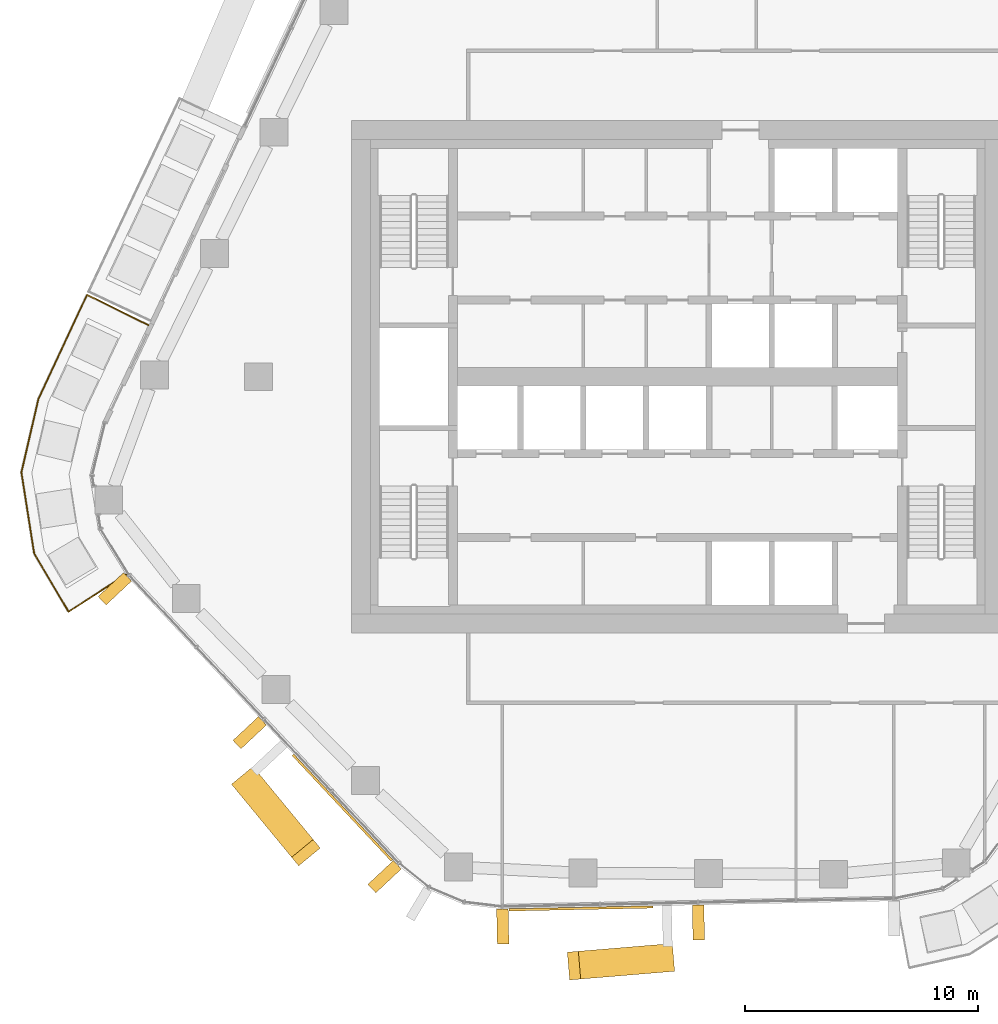
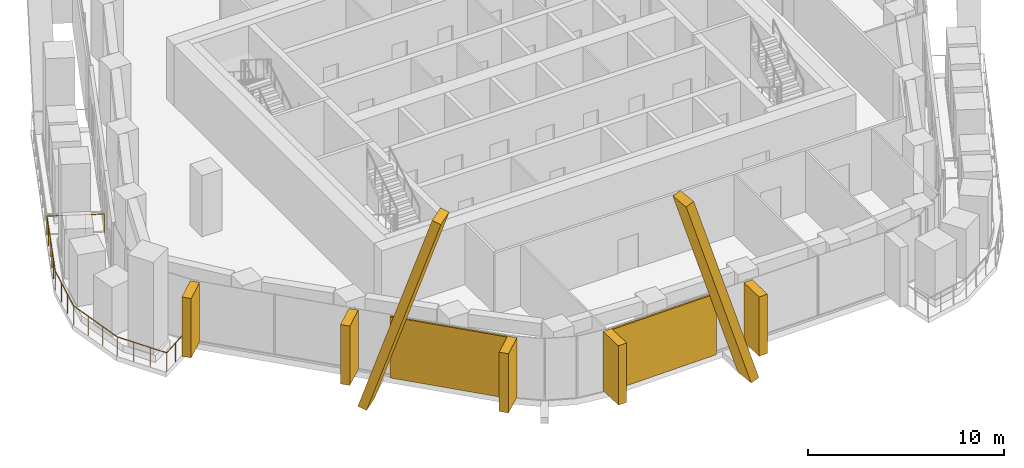
# One storey, part 14 of 18: 9 coverings, 1 railing, 2 elements without a shape of their own.
"""IFC4 building model written with IfcOpenShell, lengths in metres."""

from ifc_helpers import new_model, si_unit, direction, frame, origin, origin_2d, place, context, subcontext, project, spatial, rectangle, circle, extrude, material, layer, layer_set, material_profile, profile_set, type_object, element, aggregate, save


model = new_model("IFC4")

# Units and contexts
model_context = context("Model", 3, precision=1e-05, world=origin(), true_north=direction((0.0, 1.0)))
body_context = subcontext(model_context, "Body", "Model", "MODEL_VIEW")
ifc_project = project(units=[si_unit("LENGTHUNIT", "METRE"), si_unit("AREAUNIT", "SQUARE_METRE"), si_unit("VOLUMEUNIT", "CUBIC_METRE"), si_unit("PLANEANGLEUNIT", "RADIAN"), si_unit("MASSUNIT", "GRAM", prefix="KILO")], contexts=[model_context])

# Site, building, storey
site_placement = place(None, origin())
site = spatial("IfcSite", under=ifc_project, at=site_placement, CompositionType="ELEMENT")
building_placement = place(site_placement, origin())
building = spatial("IfcBuilding", under=site, at=building_placement, Name="Dongbaek Canopy Tower", CompositionType="ELEMENT")
storey_placement = place(building_placement, frame((0.0, 0.0, 167.0)))
storey = spatial("IfcBuildingStorey", under=building, at=storey_placement, Name="L36", CompositionType="ELEMENT", Elevation=167.0)

# Railing
ifc_material_1 = material(Name="Stainless steel", Category="steel")
railing_type = type_object("IfcRailingType", Name="Balcony balustrade 1200", PredefinedType="BALUSTRADE", material=ifc_material_1)
railing_placement = place(storey_placement, frame((-22.730712890625, 2.21435546875, 0.0)))
element("IfcRailing", 1, at=railing_placement, inside=storey, type_object=railing_type, Name="Balcony guard L36 3", PredefinedType="BALUSTRADE", context=body_context, shape_type="SweptSolid", body=[
    extrude(circle(Radius=0.02392578125, at=origin_2d()), frame((0.0, 0.0, 1.17578125), z_axis=(-0.895735106679, 0.444588144987, 0.0), x_axis=(-0.444588144987, -0.895735106679, 0.0)), (0.0, 0.0, 1.0), 2.940673828125),
    extrude(circle(Radius=0.02392578125, at=origin_2d()), frame((-2.634033203125, 1.307373046875, 1.17578125), z_axis=(-0.423516750842, -0.905888272226, 0.0), x_axis=(0.905888272226, -0.423516750842, 0.0)), (0.0, 0.0, 1.0), 4.93212890625),
    extrude(circle(Radius=0.02392578125, at=origin_2d()), frame((-4.722900390625, -3.16064453125, 1.17578125), z_axis=(-0.226085073911, -0.974107560465, 0.0), x_axis=(0.974107560465, -0.226085073911, 0.0)), (0.0, 0.0, 1.0), 3.243896484375),
    extrude(circle(Radius=0.02392578125, at=origin_2d()), frame((-5.456298828125, -6.320556640625, 1.17578125), z_axis=(0.155707044404, -0.987803278149, 0.0), x_axis=(0.987803278149, 0.155707044404, 0.0)), (0.0, 0.0, 1.0), 3.532470703125),
    extrude(circle(Radius=0.02392578125, at=origin_2d()), frame((-4.90625, -9.81005859375, 1.17578125), z_axis=(0.509092024836, -0.860712094866, 0.0), x_axis=(0.860712094866, 0.509092024836, 0.0)), (0.0, 0.0, 1.0), 2.90234375),
    extrude(circle(Radius=0.02392578125, at=origin_2d()), frame((-3.4287109375, -12.30810546875, 1.17578125), z_axis=(0.839434258494, 0.543461245782, 0.0), x_axis=(-0.543461245782, 0.839434258494, 0.0)), (0.0, 0.0, 1.0), 2.940673828125),
    extrude(circle(Radius=0.02099609375, at=origin_2d()), origin(), (0.0, 0.0, 1.0), 1.15185546875),
    extrude(circle(Radius=0.02099609375, at=origin_2d()), frame((-0.8779296875, 0.435791015625, 0.0)), (0.0, 0.0, 1.0), 1.15185546875),
    extrude(circle(Radius=0.02099609375, at=origin_2d()), frame((-1.756103515625, 0.87158203125, 0.0)), (0.0, 0.0, 1.0), 1.15185546875),
    extrude(circle(Radius=0.02099609375, at=origin_2d()), frame((-2.634033203125, 1.307373046875, 0.0)), (0.0, 0.0, 1.0), 1.15185546875),
    extrude(circle(Radius=0.02099609375, at=origin_2d()), frame((-3.0517578125, 0.413818359375, 0.0)), (0.0, 0.0, 1.0), 1.15185546875),
    extrude(circle(Radius=0.02099609375, at=origin_2d()), frame((-3.469482421875, -0.479736328125, 0.0)), (0.0, 0.0, 1.0), 1.15185546875),
    extrude(circle(Radius=0.02099609375, at=origin_2d()), frame((-3.887451171875, -1.37353515625, 0.0)), (0.0, 0.0, 1.0), 1.15185546875),
    extrude(circle(Radius=0.02099609375, at=origin_2d()), frame((-4.30517578125, -2.26708984375, 0.0)), (0.0, 0.0, 1.0), 1.15185546875),
    extrude(circle(Radius=0.02099609375, at=origin_2d()), frame((-4.722900390625, -3.16064453125, 0.0)), (0.0, 0.0, 1.0), 1.15185546875),
    extrude(circle(Radius=0.02099609375, at=origin_2d()), frame((-4.96728515625, -4.2138671875, 0.0)), (0.0, 0.0, 1.0), 1.15185546875),
    extrude(circle(Radius=0.02099609375, at=origin_2d()), frame((-5.2119140625, -5.267333984375, 0.0)), (0.0, 0.0, 1.0), 1.15185546875),
    extrude(circle(Radius=0.02099609375, at=origin_2d()), frame((-5.456298828125, -6.320556640625, 0.0)), (0.0, 0.0, 1.0), 1.15185546875),
    extrude(circle(Radius=0.02099609375, at=origin_2d()), frame((-5.27294921875, -7.483642578125, 0.0)), (0.0, 0.0, 1.0), 1.15185546875),
    extrude(circle(Radius=0.02099609375, at=origin_2d()), frame((-5.089599609375, -8.64697265625, 0.0)), (0.0, 0.0, 1.0), 1.15185546875),
    extrude(circle(Radius=0.02099609375, at=origin_2d()), frame((-4.90625, -9.81005859375, 0.0)), (0.0, 0.0, 1.0), 1.15185546875),
    extrude(circle(Radius=0.02099609375, at=origin_2d()), frame((-4.413818359375, -10.642822265625, 0.0)), (0.0, 0.0, 1.0), 1.15185546875),
    extrude(circle(Radius=0.02099609375, at=origin_2d()), frame((-3.921142578125, -11.475341796875, 0.0)), (0.0, 0.0, 1.0), 1.15185546875),
    extrude(circle(Radius=0.02099609375, at=origin_2d()), frame((-3.4287109375, -12.30810546875, 0.0)), (0.0, 0.0, 1.0), 1.15185546875),
    extrude(circle(Radius=0.02099609375, at=origin_2d()), frame((-2.60595703125, -11.775390625, 0.0)), (0.0, 0.0, 1.0), 1.15185546875),
    extrude(circle(Radius=0.02099609375, at=origin_2d()), frame((-1.782958984375, -11.24267578125, 0.0)), (0.0, 0.0, 1.0), 1.15185546875),
    extrude(circle(Radius=0.02099609375, at=origin_2d()), frame((-0.960205078125, -10.7099609375, 0.0)), (0.0, 0.0, 1.0), 1.15185546875),
])

# Curtain wall, covering
ifc_material_2 = material(Name="Aluminium 6063-T6 pale anodised", Category="aluminium")
ifc_layer_1 = layer(ifc_material_2, 0.199951171875)
ifc_layer_set_1 = layer_set([ifc_layer_1], Name="CW-1 unitised tower curtain wall")
curtain_wall_type = type_object("IfcCurtainWallType", Name="CW-1 unitised tower curtain wall", PredefinedType="NOTDEFINED", material=ifc_layer_set_1)
curtain_wall_1_placement = place(storey_placement, origin())
curtain_wall_1 = element("IfcCurtainWall", 2, at=curtain_wall_1_placement, inside=storey, type_object=curtain_wall_type, Name="CW-1 curtain wall F3.1", PredefinedType="NOTDEFINED")
ifc_material_3 = material(Name="Aluminium 6063-T6 pale metal fin", Category="aluminium")
ifc_material_profile_1 = material_profile(ifc_material_3, rectangle(XDim=1.199951171875, YDim=0.5, at=origin_2d()), Name="Crease fin CF1 500 x 1200 pale metal")
ifc_profile_set_1 = profile_set([ifc_material_profile_1], Name="Aluminium 6063-T6 pale metal fin")
covering_type_1 = type_object("IfcCoveringType", Name="Crease fin CF1 500 x 1200 pale metal", PredefinedType="CLADDING", material=ifc_profile_set_1)
covering_1_placement = place(storey_placement, frame((-18.54736328125, -17.30810546875, -0.18994140625), z_axis=(0.195179927439, -0.236911992423, 0.9517234387), x_axis=(0.771808828903, 0.635854646619, 0.0)))
covering_1 = element("IfcCovering", 3, at=covering_1_placement, type_object=covering_type_1, Name="Crease fin L36 L39 F3", PredefinedType="CLADDING", context=body_context, shape_type="SweptSolid", body=[
    extrude(rectangle(XDim=1.199951171875, YDim=0.5, at=origin_2d()), origin(), (0.0, 0.0, 1.0), 13.239013671875),
])

curtain_wall_2_placement = place(storey_placement, origin())
curtain_wall_2 = element("IfcCurtainWall", 4, at=curtain_wall_2_placement, inside=storey, type_object=curtain_wall_type, Name="CW-1 curtain wall F4.1", PredefinedType="NOTDEFINED")
covering_2_placement = place(storey_placement, frame((-0.41162109375, -24.9619140625, -0.18994140625), z_axis=(-0.304998307726, -0.025272026224, 0.952017519258), x_axis=(0.082576573731, -0.996584722676, 0.0)))
covering_2 = element("IfcCovering", 5, at=covering_2_placement, type_object=covering_type_1, Name="Crease fin L36 L39 F4", PredefinedType="CLADDING", context=body_context, shape_type="SweptSolid", body=[
    extrude(rectangle(XDim=1.199951171875, YDim=0.5, at=origin_2d()), origin(), (0.0, 0.0, 1.0), 13.23486328125),
])

# Covering
ifc_material_4 = material(Name="Perforated aluminium 6063-T6 pale metal screen", Category="aluminium")
ifc_layer_2 = layer(ifc_material_4, 0.10009765625)
ifc_layer_set_2 = layer_set([ifc_layer_2], Name="Facet screen FS1 100 pale metal")
covering_type_2 = type_object("IfcCoveringType", Name="Facet screen FS1 100 pale metal", PredefinedType="CLADDING", material=ifc_layer_set_2)
covering_3_placement = place(storey_placement, frame((-14.397216796875, -18.51123046875, 0.0), z_axis=(0.0, 0.0, 1.0), x_axis=(0.683821561846, -0.729649279829, 0.0)))
covering_3 = element("IfcCovering", 6, at=covering_3_placement, type_object=covering_type_2, Name="Facet screen L36 F3", PredefinedType="CLADDING", context=body_context, shape_type="SweptSolid", body=[
    extrude(rectangle(XDim=6.2255859375, YDim=0.10009765625, at=origin_2d()), origin(), (0.0, 0.0, 1.0), 3.820068359375),
])

covering_4_placement = place(storey_placement, frame((-4.141845703125, -22.83984375, 0.0), z_axis=(0.0, 0.0, 1.0), x_axis=(0.999789547169, 0.020514906096, 0.0)))
covering_4 = element("IfcCovering", 7, at=covering_4_placement, type_object=covering_type_2, Name="Facet screen L36 F4", PredefinedType="CLADDING", context=body_context, shape_type="SweptSolid", body=[
    extrude(rectangle(XDim=6.183837890625, YDim=0.10009765625, at=origin_2d()), origin(), (0.0, 0.0, 1.0), 3.820068359375),
])

ifc_material_5 = material(Name="Aluminium 6063-T6 pale metal fin", Category="aluminium")
ifc_material_profile_2 = material_profile(ifc_material_5, rectangle(XDim=1.5, YDim=0.5, at=origin_2d()), Name="Fin FN1 500 x 1500 pale metal")
ifc_profile_set_2 = profile_set([ifc_material_profile_2], Name="Aluminium 6063-T6 pale metal fin")
covering_type_3 = type_object("IfcCoveringType", Name="Fin FN1 500 x 1500 pale metal", PredefinedType="CLADDING", material=ifc_profile_set_2)
covering_5_placement = place(storey_placement, frame((-24.17333984375, -9.109375, 0.1201171875), z_axis=(0.0, 0.0, 1.0), x_axis=(-0.729648859062, -0.683822010811, 0.0)))
covering_5 = element("IfcCovering", 8, at=covering_5_placement, type_object=covering_type_3, Name="Fin F3.1.1", PredefinedType="CLADDING", context=body_context, shape_type="SweptSolid", body=[
    extrude(rectangle(XDim=1.5, YDim=0.5, at=origin_2d()), origin(), (0.0, 0.0, 1.0), 3.699951171875),
])

covering_6_placement = place(storey_placement, frame((-18.379638671875, -15.291259765625, 0.1201171875), z_axis=(0.0, 0.0, 1.0), x_axis=(-0.729648859062, -0.683822010811, 0.0)))
covering_6 = element("IfcCovering", 9, at=covering_6_placement, type_object=covering_type_3, Name="Fin F3.1.3", PredefinedType="CLADDING", context=body_context, shape_type="SweptSolid", body=[
    extrude(rectangle(XDim=1.5, YDim=0.5, at=origin_2d()), origin(), (0.0, 0.0, 1.0), 3.699951171875),
])

covering_7_placement = place(storey_placement, frame((-12.583984375, -21.475341796875, 0.1201171875), z_axis=(0.0, 0.0, 1.0), x_axis=(-0.729648859062, -0.683822010811, 0.0)))
covering_7 = element("IfcCovering", 10, at=covering_7_placement, type_object=covering_type_3, Name="Fin F3.1.5", PredefinedType="CLADDING", context=body_context, shape_type="SweptSolid", body=[
    extrude(rectangle(XDim=1.5, YDim=0.5, at=origin_2d()), origin(), (0.0, 0.0, 1.0), 3.699951171875),
])

aggregate(curtain_wall_1, [covering_5, covering_6, covering_7, covering_1, covering_3])

covering_8_placement = place(storey_placement, frame((-7.508544921875, -23.613037109375, 0.1201171875), z_axis=(0.0, 0.0, 1.0), x_axis=(0.020514717954, -0.999789551029, 0.0)))
covering_8 = element("IfcCovering", 11, at=covering_8_placement, type_object=covering_type_3, Name="Fin F4.1.1", PredefinedType="CLADDING", context=body_context, shape_type="SweptSolid", body=[
    extrude(rectangle(XDim=1.5, YDim=0.5, at=origin_2d()), origin(), (0.0, 0.0, 1.0), 3.699951171875),
])

covering_9_placement = place(storey_placement, frame((0.897705078125, -23.440673828125, 0.1201171875), z_axis=(0.0, 0.0, 1.0), x_axis=(0.020514717954, -0.999789551029, 0.0)))
covering_9 = element("IfcCovering", 12, at=covering_9_placement, type_object=covering_type_3, Name="Fin F4.1.3", PredefinedType="CLADDING", context=body_context, shape_type="SweptSolid", body=[
    extrude(rectangle(XDim=1.5, YDim=0.5, at=origin_2d()), origin(), (0.0, 0.0, 1.0), 3.699951171875),
])

aggregate(curtain_wall_2, [covering_8, covering_9, covering_2, covering_4])

save(model, "model.ifc")
